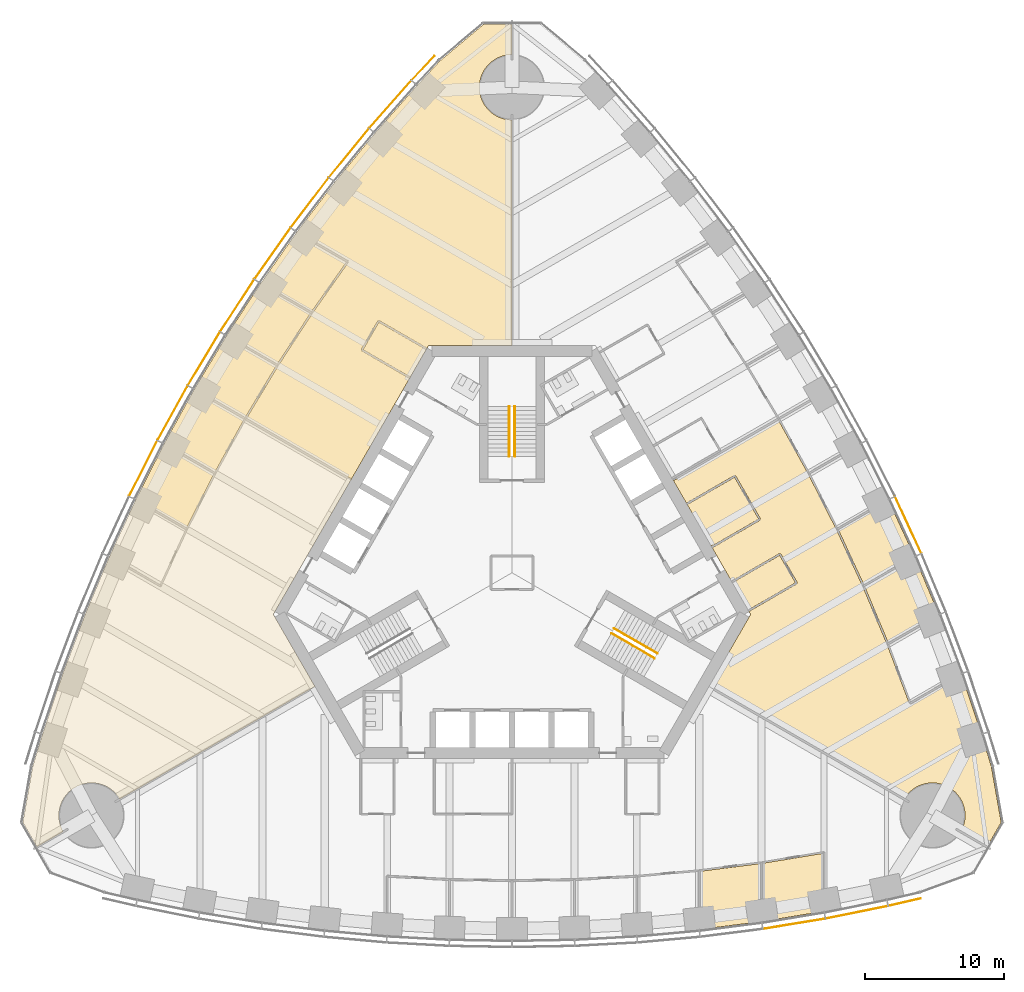
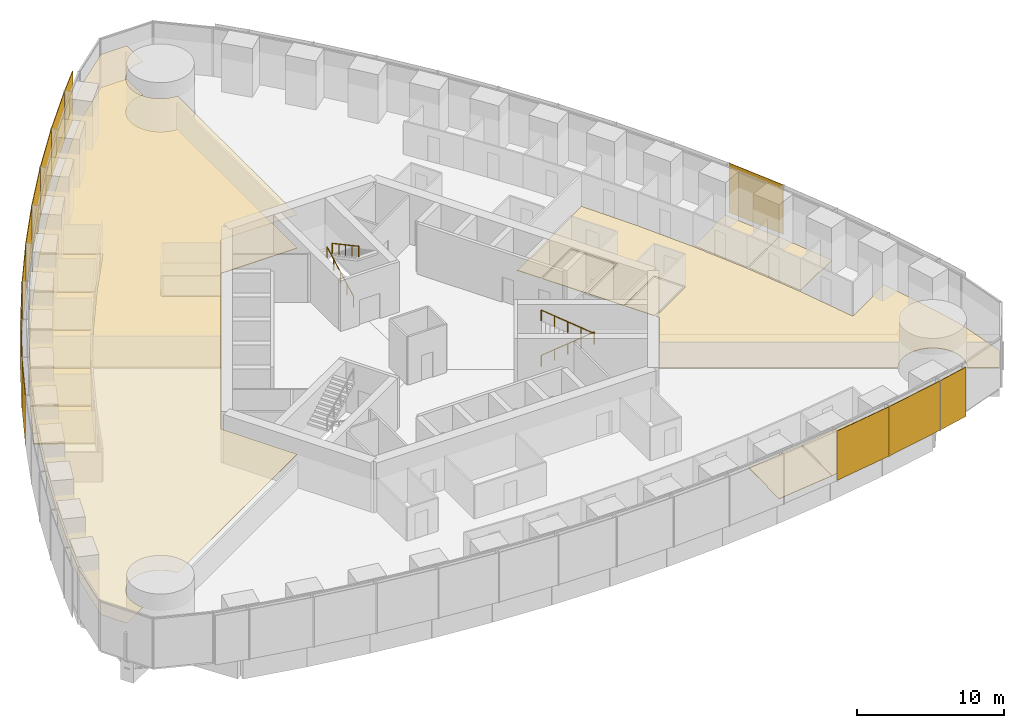
# One storey, part 16 of 19: 15 coverings, 13 shading devices, 4 railings.
"""IFC4 building model written with IfcOpenShell, lengths in metres."""

import ifcopenshell
import ifcopenshell.guid

model = None  # the IFC model being written
_history = None  # IfcOwnerHistory: only IFC2X3 demands one
_inside = {}  # id of a spatial element -> (the spatial element, [elements in it])
_under = {}  # id of a project, library or spatial element -> (it, [spatial elements below it])
_declared = {}  # id of a project -> (the project, [libraries it declares])
_typed = {}  # id of a type object -> (the type object, [elements of that type])
_made_of = {}  # id of a material, layer set ... -> (it, [elements and type objects made of it])


def new_model(schema):
    """Start an empty IFC model of exactly this schema.

    Asked for "IFC4X3", IfcOpenShell would pick the latest addendum, in which some entities
    have other attributes; the version numbers below select the first issue.
    IFC2X3 requires an IfcOwnerHistory on every rooted entity: one is made here for all.
    """
    global model, _history
    if schema == "IFC4X3":
        model = ifcopenshell.file(schema_version=(4, 3, 0, 0))
    else:
        model = ifcopenshell.file(schema=schema)
    _inside.clear()
    _under.clear()
    _declared.clear()
    _typed.clear()
    _made_of.clear()
    _history = None
    if model.schema == "IFC2X3":
        org = make("IfcOrganization", Name="unknown")
        user = make(
            "IfcPersonAndOrganization",
            ThePerson=make("IfcPerson", FamilyName="unknown"),
            TheOrganization=org,
        )
        app = make(
            "IfcApplication",
            ApplicationDeveloper=org,
            Version="unknown",
            ApplicationFullName="unknown",
            ApplicationIdentifier="unknown",
        )
        _history = make(
            "IfcOwnerHistory",
            OwningUser=user,
            OwningApplication=app,
            ChangeAction="ADDED",
            CreationDate=0,
        )
    return model


def make(cls, **values):
    """One entity of the class cls with the attributes given. An attribute that is None is left unset."""
    return model.create_entity(
        cls, **{name: value for name, value in values.items() if value is not None}
    )


def rooted(cls, **values):
    """An entity with a GlobalId (a new one), such as an element, a storey or a relation."""
    return make(cls, GlobalId=ifcopenshell.guid.new(), OwnerHistory=_history, **values)


def si_unit(unit_type, name, prefix=None):
    """IfcSIUnit, for example si_unit("LENGTHUNIT", "METRE", prefix="MILLI")."""
    return make("IfcSIUnit", UnitType=unit_type, Prefix=prefix, Name=name)


def assignment(units):
    """IfcUnitAssignment: the units of a project."""
    return None if units is None else make("IfcUnitAssignment", Units=units)


def point(xyz):
    """IfcCartesianPoint."""
    return None if xyz is None else make("IfcCartesianPoint", Coordinates=xyz)


def direction(xyz):
    """IfcDirection."""
    return None if xyz is None else make("IfcDirection", DirectionRatios=xyz)


def frame(location, z_axis=None, x_axis=None):
    """IfcAxis2Placement3D, a coordinate frame: its origin and axes. An axis left out is left unset."""
    return make(
        "IfcAxis2Placement3D",
        Location=point(location),
        Axis=direction(z_axis),
        RefDirection=direction(x_axis),
    )


def frame_2d(location, x_axis=None):
    """IfcAxis2Placement2D, a coordinate frame in the plane: its origin and x axis."""
    return make(
        "IfcAxis2Placement2D", Location=point(location), RefDirection=direction(x_axis)
    )


def origin():
    """The frame at (0, 0, 0) with its axes left unset."""
    return frame((0.0, 0.0, 0.0))


def origin_2d():
    """The frame at (0, 0) in the plane with its x axis left unset."""
    return frame_2d((0.0, 0.0))


def place(relative_to, where):
    """IfcLocalPlacement: puts the frame where relative to a parent placement (None: the world)."""
    return make(
        "IfcLocalPlacement", PlacementRelTo=relative_to, RelativePlacement=where
    )


def context(
    kind, dimensions, precision=None, world=None, true_north=None, identifier=None
):
    """IfcGeometricRepresentationContext, for example the 3D "Model" context."""
    return make(
        "IfcGeometricRepresentationContext",
        ContextIdentifier=identifier,
        ContextType=kind,
        CoordinateSpaceDimension=dimensions,
        Precision=precision,
        WorldCoordinateSystem=world,
        TrueNorth=true_north,
    )


def subcontext(parent, identifier, kind, view, scale=None):
    """IfcGeometricRepresentationSubContext, for example "Body" below "Model"."""
    return make(
        "IfcGeometricRepresentationSubContext",
        ContextIdentifier=identifier,
        ContextType=kind,
        ParentContext=parent,
        TargetScale=scale,
        TargetView=view,
    )


def project(units=None, contexts=None):
    """IfcProject with its units and contexts."""
    return rooted(
        "IfcProject",
        Name="project",
        RepresentationContexts=contexts,
        UnitsInContext=assignment(units),
    )


def spatial(cls, under=None, at=None, **own):
    """A site, building, storey or space (cls), placed at a placement, below another one or the project."""
    s = rooted(cls, ObjectPlacement=at, **own)
    if under is not None:
        _under.setdefault(under.id(), (under, []))[1].append(s)
    return s


def polyline(points):
    """IfcPolyline through the points."""
    return make("IfcPolyline", Points=[point(p) for p in points])


def profile(cls, at=None, kind="AREA", **sizes):
    """A parametric profile (cls). Its sizes go by their IFC names, for example OverallWidth=200.0."""
    return make(cls, ProfileType=kind, Position=at, **sizes)


def rectangle(**sizes):
    """IfcRectangleProfileDef."""
    return profile("IfcRectangleProfileDef", **sizes)


def circle(**sizes):
    """IfcCircleProfileDef."""
    return profile("IfcCircleProfileDef", **sizes)


def outline(outer, holes=None, kind="AREA"):
    """IfcArbitraryClosedProfileDef: a profile drawn as a closed curve; with holes, ...WithVoids."""
    if holes is None:
        return make("IfcArbitraryClosedProfileDef", ProfileType=kind, OuterCurve=outer)
    return make(
        "IfcArbitraryProfileDefWithVoids",
        ProfileType=kind,
        OuterCurve=outer,
        InnerCurves=holes,
    )


def extrude(swept, where, along, depth):
    """IfcExtrudedAreaSolid: the profile swept, set in the frame where, extruded along a direction by depth."""
    return make(
        "IfcExtrudedAreaSolid",
        SweptArea=swept,
        Position=where,
        ExtrudedDirection=direction(along),
        Depth=depth,
    )


def shape(context_of_items, identifier, shape_type, items):
    """IfcShapeRepresentation: the items that make up one representation, for example the "Body"."""
    return make(
        "IfcShapeRepresentation",
        ContextOfItems=context_of_items,
        RepresentationIdentifier=identifier,
        RepresentationType=shape_type,
        Items=items,
    )


def material(Name=None, Category=None):
    """IfcMaterial."""
    return make("IfcMaterial", Name=Name, Category=Category)


def layer(
    of_material, thickness, ventilated=None, Name=None, Category=None, Priority=None
):
    """IfcMaterialLayer: one layer of a wall or slab, of a material (None: an air gap)."""
    return make(
        "IfcMaterialLayer",
        Material=of_material,
        LayerThickness=thickness,
        IsVentilated=ventilated,
        Name=Name,
        Category=Category,
        Priority=Priority,
    )


def layer_set(layers, Name=None):
    """IfcMaterialLayerSet."""
    return make("IfcMaterialLayerSet", MaterialLayers=layers, LayerSetName=Name)


def made_of(thing, what):
    """Note that an element or type object is made of a material, layer set ...; save() writes the relation."""
    if what is not None:
        _made_of.setdefault(what.id(), (what, []))[1].append(thing)
    return thing


def type_object(cls, material=None, **own):
    """A type object (cls), such as IfcWallType, which elements share."""
    return made_of(rooted(cls, **own), material)


def element(
    cls,
    number,
    at=None,
    inside=None,
    cuts=None,
    type_object=None,
    material=None,
    context=None,
    identifier="Body",
    shape_type=None,
    held_by="IfcProductDefinitionShape",
    body=None,
    shapes=None,
    **own,
):
    """One element of the class cls, such as IfcWall. Its Tag is "e" and its number.

    at: its placement. inside: the storey or other place that contains it. cuts: it is an
    opening in that element (IfcRelVoidsElement). A single representation is given by context,
    identifier, shape_type and body (its items); several are given by shapes. held_by: the class
    of the entity that holds the representations. save() writes the other relations.
    """
    e = rooted(cls, Tag="e%d" % number, ObjectPlacement=at, **own)
    if body is not None:
        shapes = [shape(context, identifier, shape_type, body)]
    if shapes is not None:
        e.Representation = make(held_by, Representations=shapes)
    if inside is not None:
        _inside.setdefault(inside.id(), (inside, []))[1].append(e)
    if cuts is not None:
        rooted(
            "IfcRelVoidsElement", RelatingBuildingElement=cuts, RelatedOpeningElement=e
        )
    if type_object is not None:
        _typed.setdefault(type_object.id(), (type_object, []))[1].append(e)
    return made_of(e, material)


def aggregate(whole, parts):
    """IfcRelAggregates: a whole, such as a stair, and the parts it consists of."""
    return rooted("IfcRelAggregates", RelatingObject=whole, RelatedObjects=parts)


def save(model, path):
    """Write the relations noted so far, then the file.

    IfcRelAggregates (storeys below a building ...), IfcRelContainedInSpatialStructure (elements
    in a storey), IfcRelDefinesByType, IfcRelAssociatesMaterial and IfcRelDeclares: one each for
    every whole, place, type object, material and project.
    """
    for whole, parts in _under.values():
        aggregate(whole, parts)
    for where, things in _inside.values():
        rooted(
            "IfcRelContainedInSpatialStructure",
            RelatedElements=things,
            RelatingStructure=where,
        )
    for kind, things in _typed.values():
        rooted("IfcRelDefinesByType", RelatedObjects=things, RelatingType=kind)
    for what, things in _made_of.values():
        rooted("IfcRelAssociatesMaterial", RelatedObjects=things, RelatingMaterial=what)
    for by, libraries in _declared.values():
        rooted("IfcRelDeclares", RelatingContext=by, RelatedDefinitions=libraries)
    model.write(path)


model = new_model("IFC4")

# Units and contexts
model_context = context("Model", 3, precision=1e-05, world=origin(), true_north=direction((0.0, 1.0)))
body_context = subcontext(model_context, "Body", "Model", "MODEL_VIEW")
ifc_project = project(units=[si_unit("LENGTHUNIT", "METRE"), si_unit("AREAUNIT", "SQUARE_METRE"), si_unit("VOLUMEUNIT", "CUBIC_METRE"), si_unit("PLANEANGLEUNIT", "RADIAN"), si_unit("MASSUNIT", "GRAM", prefix="KILO")], contexts=[model_context])

# Site, building, storey
site_placement = place(None, origin())
site = spatial("IfcSite", under=ifc_project, at=site_placement, CompositionType="ELEMENT")
building_placement = place(site_placement, origin())
building = spatial("IfcBuilding", under=site, at=building_placement, Name="Trefoil Bronze Tower", CompositionType="ELEMENT")
storey_placement = place(building_placement, frame((0.0, 0.0, 107.300048828125)))
storey = spatial("IfcBuildingStorey", under=building, at=storey_placement, Name="L24", CompositionType="ELEMENT", Elevation=107.300048828125)

# Shading devices
ifc_material_1 = material(Name="Perforated bronze sheet", Category="bronze")
ifc_layer_1 = layer(ifc_material_1, 0.0400390625)
ifc_layer_set_1 = layer_set([ifc_layer_1], Name="Bronze solar screen panel")
shading_device_type = type_object("IfcShadingDeviceType", Name="Bronze solar screen panel", PredefinedType="SHUTTER", material=ifc_layer_set_1)
shading_device_1_placement = place(storey_placement, frame((20.337646484375, -25.30859375, 0.0498046875), z_axis=(0.0, 0.0, 1.0), x_axis=(0.986759655731, 0.162189339418, 0.0)))
element("IfcShadingDevice", 1, at=shading_device_1_placement, inside=storey, type_object=shading_device_type, Name="Solar screen CW-A L24 F1 bay 12", PredefinedType="SHUTTER", context=body_context, shape_type="SweptSolid", body=[
    extrude(rectangle(XDim=4.5302734375, YDim=0.0400390625, at=origin_2d()), origin(), (0.0, 0.0, 1.0), 4.10009765625),
])
shading_device_2_placement = place(storey_placement, frame((24.85693359375, -24.480224609375, 0.0498046875), z_axis=(0.0, 0.0, 1.0), x_axis=(0.980155155547, 0.198231861853, 0.0)))
element("IfcShadingDevice", 2, at=shading_device_2_placement, inside=storey, type_object=shading_device_type, Name="Solar screen CW-A L24 F1 bay 13", PredefinedType="SHUTTER", context=body_context, shape_type="SweptSolid", body=[
    extrude(rectangle(XDim=4.56103515625, YDim=0.0400390625, at=origin_2d()), origin(), (0.0, 0.0, 1.0), 4.10009765625),
])
shading_device_3_placement = place(storey_placement, frame((28.30078125, -23.748779296875, 0.0498046875), z_axis=(0.0, 0.0, 1.0), x_axis=(0.97420444715, 0.225667222151, 0.0)))
element("IfcShadingDevice", 3, at=shading_device_3_placement, inside=storey, type_object=shading_device_type, Name="Solar screen CW-A L24 F1 bay 14", PredefinedType="SHUTTER", context=body_context, shape_type="SweptSolid", body=[
    extrude(rectangle(XDim=2.39013671875, YDim=0.0400390625, at=origin_2d()), origin(), (0.0, 0.0, 1.0), 4.10009765625),
])
shading_device_4_placement = place(storey_placement, frame((28.563720703125, 3.444580078125, 0.0498046875), z_axis=(0.0, 0.0, 1.0), x_axis=(-0.419932995871, 0.907555110712, 0.0)))
element("IfcShadingDevice", 4, at=shading_device_4_placement, inside=storey, type_object=shading_device_type, Name="Solar screen CW-A L24 F2 bay 5", PredefinedType="SHUTTER", context=body_context, shape_type="SweptSolid", body=[
    extrude(rectangle(XDim=4.48828125, YDim=0.0400390625, at=origin_2d()), origin(), (0.0, 0.0, 1.0), 4.10009765625),
])
shading_device_5_placement = place(storey_placement, frame((-6.416748046875, 36.383544921875, 0.0498046875), z_axis=(0.0, 0.0, 1.0), x_axis=(-0.682535770759, -0.730852188636, 0.0)))
element("IfcShadingDevice", 5, at=shading_device_5_placement, inside=storey, type_object=shading_device_type, Name="Solar screen CW-A L24 F3 bay 1", PredefinedType="SHUTTER", context=body_context, shape_type="SweptSolid", body=[
    extrude(rectangle(XDim=2.39013671875, YDim=0.0400390625, at=origin_2d()), origin(), (0.0, 0.0, 1.0), 4.10009765625),
])
shading_device_6_placement = place(storey_placement, frame((-8.77197265625, 33.766845703125, 0.0498046875), z_axis=(0.0, 0.0, 1.0), x_axis=(-0.661751405978, -0.749723333428, 0.0)))
element("IfcShadingDevice", 6, at=shading_device_6_placement, inside=storey, type_object=shading_device_type, Name="Solar screen CW-A L24 F3 bay 2", PredefinedType="SHUTTER", context=body_context, shape_type="SweptSolid", body=[
    extrude(rectangle(XDim=4.56103515625, YDim=0.0400390625, at=origin_2d()), origin(), (0.0, 0.0, 1.0), 4.10009765625),
])
shading_device_7_placement = place(storey_placement, frame((-11.7490234375, 30.26708984375, 0.0498046875), z_axis=(0.0, 0.0, 1.0), x_axis=(-0.633839916024, -0.773464259584, 0.0)))
element("IfcShadingDevice", 7, at=shading_device_7_placement, inside=storey, type_object=shading_device_type, Name="Solar screen CW-A L24 F3 bay 3", PredefinedType="SHUTTER", context=body_context, shape_type="SweptSolid", body=[
    extrude(rectangle(XDim=4.5302734375, YDim=0.0400390625, at=origin_2d()), origin(), (0.0, 0.0, 1.0), 4.10009765625),
])
shading_device_8_placement = place(storey_placement, frame((-14.579345703125, 26.6826171875, 0.0498046875), z_axis=(0.0, 0.0, 1.0), x_axis=(-0.605252319983, -0.796033685943, 0.0)))
element("IfcShadingDevice", 8, at=shading_device_8_placement, inside=storey, type_object=shading_device_type, Name="Solar screen CW-A L24 F3 bay 4", PredefinedType="SHUTTER", context=body_context, shape_type="SweptSolid", body=[
    extrude(rectangle(XDim=4.50634765625, YDim=0.0400390625, at=origin_2d()), origin(), (0.0, 0.0, 1.0), 4.10009765625),
])
shading_device_9_placement = place(storey_placement, frame((-17.264892578125, 23.014404296875, 0.0498046875), z_axis=(0.0, 0.0, 1.0), x_axis=(-0.575999283275, -0.817450197667, 0.0)))
element("IfcShadingDevice", 9, at=shading_device_9_placement, inside=storey, type_object=shading_device_type, Name="Solar screen CW-A L24 F3 bay 5", PredefinedType="SHUTTER", context=body_context, shape_type="SweptSolid", body=[
    extrude(rectangle(XDim=4.48828125, YDim=0.0400390625, at=origin_2d()), origin(), (0.0, 0.0, 1.0), 4.10009765625),
])
shading_device_10_placement = place(storey_placement, frame((-19.8076171875, 19.263916015625, 0.0498046875), z_axis=(0.0, 0.0, 1.0), x_axis=(-0.546088612237, -0.837727418427, 0.0)))
element("IfcShadingDevice", 10, at=shading_device_10_placement, inside=storey, type_object=shading_device_type, Name="Solar screen CW-A L24 F3 bay 6", PredefinedType="SHUTTER", context=body_context, shape_type="SweptSolid", body=[
    extrude(rectangle(XDim=4.4765625, YDim=0.0400390625, at=origin_2d()), origin(), (0.0, 0.0, 1.0), 4.10009765625),
])
for number, where, z_axis, x_axis, name in (
    (11, (-22.208740234375, 15.431396484375, 0.0498046875), (0.0, 0.0, 1.0), (-0.515525413486, -0.856874289526, 0.0), "Solar screen CW-A L24 F3 bay 7"),
    (12, (-24.468505859375, 11.517578125, 0.0498046875), (0.0, 0.0, 1.0), (-0.484312195836, -0.874895249138, 0.0), "Solar screen CW-A L24 F3 bay 8"),
):
    element("IfcShadingDevice", number, at=place(storey_placement, frame(where, z_axis=z_axis, x_axis=x_axis)), inside=storey, type_object=shading_device_type, Name=name, PredefinedType="SHUTTER", context=body_context, shape_type="SweptSolid", body=[
        extrude(rectangle(XDim=4.470703125, YDim=0.0400390625, at=origin_2d()), origin(), (0.0, 0.0, 1.0), 4.10009765625),
    ])
shading_device_11_placement = place(storey_placement, frame((-26.5869140625, 7.52197265625, 0.0498046875), z_axis=(0.0, 0.0, 1.0), x_axis=(-0.452448919686, -0.891790320128, 0.0)))
element("IfcShadingDevice", 13, at=shading_device_11_placement, inside=storey, type_object=shading_device_type, Name="Solar screen CW-A L24 F3 bay 9", PredefinedType="SHUTTER", context=body_context, shape_type="SweptSolid", body=[
    extrude(rectangle(XDim=4.4765625, YDim=0.0400390625, at=origin_2d()), origin(), (0.0, 0.0, 1.0), 4.10009765625),
])

# Railings
ifc_material_2 = material(Name="Steel handrail", Category="steel")
railing_type = type_object("IfcRailingType", Name="Handrail 900", PredefinedType="HANDRAIL", material=ifc_material_2)
railing_1_placement = place(storey_placement, frame((7.365966796875, -4.021728515625, 0.161376953125)))
element("IfcRailing", 14, at=railing_1_placement, inside=storey, type_object=railing_type, Name="Handrail ST1 flight 1 L24", PredefinedType="HANDRAIL", context=body_context, shape_type="SweptSolid", body=[
    extrude(circle(Radius=0.02392578125, at=origin_2d()), frame((0.0, 0.0, 0.8759765625), z_axis=(0.76250339821, -0.440245697338, 0.474101564745), x_axis=(0.500012057535, 0.866018442252, 0.0)), (0.0, 0.0, 1.0), 4.088623046875),
    extrude(circle(Radius=0.02099609375, at=origin_2d()), origin(), (0.0, 0.0, 1.0), 0.851806640625),
    extrude(circle(Radius=0.02099609375, at=origin_2d()), frame((0.779296875, -0.449951171875, 0.484619140625)), (0.0, 0.0, 1.0), 0.851806640625),
    extrude(circle(Radius=0.02099609375, at=origin_2d()), frame((1.558837890625, -0.89990234375, 0.96923828125)), (0.0, 0.0, 1.0), 0.851806640625),
    extrude(circle(Radius=0.02099609375, at=origin_2d()), frame((2.33837890625, -1.35009765625, 1.453857421875)), (0.0, 0.0, 1.0), 0.851806640625),
    extrude(circle(Radius=0.02099609375, at=origin_2d()), frame((3.11767578125, -1.800048828125, 1.9384765625)), (0.0, 0.0, 1.0), 0.851806640625),
])
railing_2_placement = place(storey_placement, frame((10.28369140625, -6.168212890625, 2.261474609375)))
element("IfcRailing", 15, at=railing_2_placement, inside=storey, type_object=railing_type, Name="Handrail ST1 flight 2 L24", PredefinedType="HANDRAIL", context=body_context, shape_type="SweptSolid", body=[
    extrude(circle(Radius=0.02392578125, at=origin_2d()), frame((0.0, 0.0, 0.8759765625), z_axis=(-0.76250339821, 0.440245697338, 0.474101564745), x_axis=(-0.500012057535, -0.866018442252, 0.0)), (0.0, 0.0, 1.0), 4.088623046875),
    extrude(circle(Radius=0.02099609375, at=origin_2d()), origin(), (0.0, 0.0, 1.0), 0.851806640625),
    extrude(circle(Radius=0.02099609375, at=origin_2d()), frame((-0.779296875, 0.449951171875, 0.484619140625)), (0.0, 0.0, 1.0), 0.851806640625),
    extrude(circle(Radius=0.02099609375, at=origin_2d()), frame((-1.558837890625, 0.89990234375, 0.96923828125)), (0.0, 0.0, 1.0), 0.851806640625),
    extrude(circle(Radius=0.02099609375, at=origin_2d()), frame((-2.33837890625, 1.35009765625, 1.453857421875)), (0.0, 0.0, 1.0), 0.851806640625),
    extrude(circle(Radius=0.02099609375, at=origin_2d()), frame((-3.11767578125, 1.800048828125, 1.9384765625)), (0.0, 0.0, 1.0), 0.851806640625),
])
railing_3_placement = place(storey_placement, frame((-0.199951171875, 8.389892578125, 0.161376953125)))
element("IfcRailing", 16, at=railing_3_placement, inside=storey, type_object=railing_type, Name="Handrail ST2 flight 1 L24", PredefinedType="HANDRAIL", context=body_context, shape_type="SweptSolid", body=[
    extrude(circle(Radius=0.02392578125, at=origin_2d()), frame((0.0, 0.0, 0.8759765625), z_axis=(0.0, 0.880474934443, 0.474092701714), x_axis=(-1.0, 0.0, 0.0)), (0.0, 0.0, 1.0), 4.0888671875),
    extrude(circle(Radius=0.02099609375, at=origin_2d()), origin(), (0.0, 0.0, 1.0), 0.851806640625),
    extrude(circle(Radius=0.02099609375, at=origin_2d()), frame((0.0, 0.89990234375, 0.484619140625)), (0.0, 0.0, 1.0), 0.851806640625),
    extrude(circle(Radius=0.02099609375, at=origin_2d()), frame((0.0, 1.800048828125, 0.96923828125)), (0.0, 0.0, 1.0), 0.851806640625),
    extrude(circle(Radius=0.02099609375, at=origin_2d()), frame((0.0, 2.7001953125, 1.453857421875)), (0.0, 0.0, 1.0), 0.851806640625),
    extrude(circle(Radius=0.02099609375, at=origin_2d()), frame((0.0, 3.60009765625, 1.9384765625)), (0.0, 0.0, 1.0), 0.851806640625),
])
railing_4_placement = place(storey_placement, frame((0.199951171875, 11.989990234375, 2.261474609375)))
element("IfcRailing", 17, at=railing_4_placement, inside=storey, type_object=railing_type, Name="Handrail ST2 flight 2 L24", PredefinedType="HANDRAIL", context=body_context, shape_type="SweptSolid", body=[
    extrude(circle(Radius=0.02392578125, at=origin_2d()), frame((0.0, 0.0, 0.8759765625), z_axis=(0.0, -0.880474934443, 0.474092701714), x_axis=(1.0, 0.0, 0.0)), (0.0, 0.0, 1.0), 4.0888671875),
    extrude(circle(Radius=0.02099609375, at=origin_2d()), origin(), (0.0, 0.0, 1.0), 0.851806640625),
    extrude(circle(Radius=0.02099609375, at=origin_2d()), frame((0.0, -0.89990234375, 0.484619140625)), (0.0, 0.0, 1.0), 0.851806640625),
    extrude(circle(Radius=0.02099609375, at=origin_2d()), frame((0.0, -1.800048828125, 0.96923828125)), (0.0, 0.0, 1.0), 0.851806640625),
    extrude(circle(Radius=0.02099609375, at=origin_2d()), frame((0.0, -2.7001953125, 1.453857421875)), (0.0, 0.0, 1.0), 0.851806640625),
    extrude(circle(Radius=0.02099609375, at=origin_2d()), frame((0.0, -3.60009765625, 1.9384765625)), (0.0, 0.0, 1.0), 0.851806640625),
])

# Coverings
ifc_material_3 = material(Name="Acoustic ceiling panels", Category="mineral fibre")
ifc_layer_2 = layer(ifc_material_3, 0.02001953125)
ifc_layer_set_2 = layer_set([ifc_layer_2], Name="Office ceiling 20")
covering_type_1 = type_object("IfcCoveringType", Name="Office ceiling 20", PredefinedType="CEILING", material=ifc_layer_set_2)
covering_1_placement = place(storey_placement, frame((0.0, 0.0, 2.89990234375)))
element("IfcCovering", 18, at=covering_1_placement, inside=storey, type_object=covering_type_1, Name="Ceiling L24 Open support area F3", PredefinedType="CEILING", context=body_context, shape_type="SweptSolid", body=[
    extrude(outline(polyline([(-33.847900390625, -11.634765625), (-32.385986328125, -7.28271484375), (-30.776611328125, -3.015625), (-29.022216796875, 1.16748046875), (-27.124755859375, 5.268310546875), (-25.085693359375, 9.287109375), (-22.906005859375, 13.224853515625), (-20.585693359375, 17.081298828125), (-18.124755859375, 20.856689453125), (-15.522216796875, 24.55029296875), (-12.776611328125, 28.1611328125), (-9.885986328125, 31.6884765625), (-6.847900390625, 35.130615234375), (-5.1962890625, 36.8994140625), (-2.052001953125, 39.53759765625), (-0.014892578125, 39.53759765625), (-0.013916015625, 37.349609375), (-0.115234375, 37.34716796875), (-0.230224609375, 37.338623046875), (-0.3447265625, 37.32470703125), (-0.45849609375, 37.3046875), (-0.571044921875, 37.279541015625), (-0.68212890625, 37.248779296875), (-0.791748046875, 37.212646484375), (-0.8994140625, 37.171142578125), (-1.0048828125, 37.12451171875), (-1.10791015625, 37.072509765625), (-1.2080078125, 37.015625), (-1.3056640625, 36.9541015625), (-1.39990234375, 36.887451171875), (-1.49072265625, 36.816650390625), (-1.578125, 36.7412109375), (-1.66162109375, 36.66162109375), (-1.7412109375, 36.578125), (-1.816650390625, 36.49072265625), (-1.887451171875, 36.39990234375), (-1.9541015625, 36.3056640625), (-2.015625, 36.2080078125), (-2.072509765625, 36.10791015625), (-2.12451171875, 36.0048828125), (-2.171142578125, 35.8994140625), (-2.212646484375, 35.791748046875), (-2.248779296875, 35.68212890625), (-2.279541015625, 35.571044921875), (-2.3046875, 35.45849609375), (-2.32470703125, 35.3447265625), (-2.338623046875, 35.230224609375), (-2.34716796875, 35.115234375), (-2.35009765625, 35.0), (-2.34716796875, 34.884765625), (-2.338623046875, 34.769775390625), (-2.32470703125, 34.6552734375), (-2.3046875, 34.54150390625), (-2.279541015625, 34.428955078125), (-2.248779296875, 34.31787109375), (-2.212646484375, 34.208251953125), (-2.171142578125, 34.1005859375), (-2.12451171875, 33.9951171875), (-2.072509765625, 33.89208984375), (-2.015625, 33.7919921875), (-1.9541015625, 33.6943359375), (-1.887451171875, 33.60009765625), (-1.816650390625, 33.50927734375), (-1.7412109375, 33.421875), (-1.66162109375, 33.33837890625), (-1.578125, 33.2587890625), (-1.49072265625, 33.183349609375), (-1.39990234375, 33.112548828125), (-1.3056640625, 33.0458984375), (-1.2080078125, 32.984375), (-1.10791015625, 32.927490234375), (-1.0048828125, 32.87548828125), (-0.8994140625, 32.828857421875), (-0.791748046875, 32.787353515625), (-0.68212890625, 32.751220703125), (-0.571044921875, 32.720458984375), (-0.45849609375, 32.6953125), (-0.3447265625, 32.67529296875), (-0.230224609375, 32.661376953125), (-0.115234375, 32.65283203125), (-0.01220703125, 32.650390625), (-0.006103515625, 16.39990234375), (-6.00439453125, 16.39990234375), (-17.205078125, -3.0), (-14.205810546875, -8.194580078125), (-28.2822265625, -16.314697265625), (-28.295166015625, -16.2919921875), (-28.35693359375, -16.1943359375), (-28.42333984375, -16.10009765625), (-28.494384765625, -16.00927734375), (-28.569580078125, -15.921875), (-28.649169921875, -15.83837890625), (-28.732666015625, -15.7587890625), (-28.820068359375, -15.683349609375), (-28.910888671875, -15.612548828125), (-29.00537109375, -15.5458984375), (-29.102783203125, -15.484375), (-29.203125, -15.427490234375), (-29.30615234375, -15.37548828125), (-29.41162109375, -15.328857421875), (-29.519287109375, -15.287353515625), (-29.628662109375, -15.251220703125), (-29.739990234375, -15.220458984375), (-29.852294921875, -15.1953125), (-29.966064453125, -15.17529296875), (-30.08056640625, -15.161376953125), (-30.195556640625, -15.15283203125), (-30.310791015625, -15.14990234375), (-30.42626953125, -15.15283203125), (-30.541259765625, -15.161376953125), (-30.65576171875, -15.17529296875), (-30.769287109375, -15.1953125), (-30.8818359375, -15.220458984375), (-30.9931640625, -15.251220703125), (-31.1025390625, -15.287353515625), (-31.210205078125, -15.328857421875), (-31.315673828125, -15.37548828125), (-31.418701171875, -15.427490234375), (-31.51904296875, -15.484375), (-31.616455078125, -15.5458984375), (-31.710693359375, -15.612548828125), (-31.8017578125, -15.683349609375), (-31.88916015625, -15.7587890625), (-31.97265625, -15.83837890625), (-32.052001953125, -15.921875), (-32.12744140625, -16.00927734375), (-32.198486328125, -16.10009765625), (-32.264892578125, -16.1943359375), (-32.32666015625, -16.2919921875), (-32.38330078125, -16.39208984375), (-32.435302734375, -16.4951171875), (-32.48193359375, -16.6005859375), (-32.5234375, -16.708251953125), (-32.559814453125, -16.81787109375), (-32.590576171875, -16.928955078125), (-32.61572265625, -17.04150390625), (-32.635498046875, -17.1552734375), (-32.649658203125, -17.269775390625), (-32.658203125, -17.384765625), (-32.660888671875, -17.5), (-32.658203125, -17.615234375), (-32.649658203125, -17.730224609375), (-32.635498046875, -17.8447265625), (-32.61572265625, -17.95849609375), (-32.590576171875, -18.071044921875), (-32.559814453125, -18.18212890625), (-32.5234375, -18.291748046875), (-32.48193359375, -18.3994140625), (-32.435302734375, -18.5048828125), (-32.38330078125, -18.60791015625), (-32.352294921875, -18.66259765625), (-34.247802734375, -19.755859375), (-35.2666015625, -17.99169921875), (-34.5537109375, -13.94970703125), (-33.847900390625, -11.634765625)])), origin(), (0.0, 0.0, 1.0), 0.02001953125),
])
ifc_material_4 = material(Name="Raised access floor panels", Category="steel")
ifc_layer_3 = layer(ifc_material_4, 0.050048828125)
ifc_layer_set_3 = layer_set([ifc_layer_3], Name="Raised access floor 150")
covering_type_2 = type_object("IfcCoveringType", Name="Raised access floor 150", PredefinedType="FLOORING", material=ifc_layer_set_3)
covering_2_placement = place(storey_placement, frame((0.0, 0.0, 0.099853515625)))
element("IfcCovering", 19, at=covering_2_placement, inside=storey, type_object=covering_type_2, Name="Raised floor L24 Office F1", PredefinedType="FLOORING", context=body_context, shape_type="SweptSolid", body=[
    extrude(outline(polyline([(18.0, -25.1455078125), (13.5, -25.7177734375), (13.5, -24.078125), (13.56005859375, -24.078125), (13.56005859375, -21.520751953125), (17.93994140625, -20.963623046875), (17.93994140625, -23.49853515625), (18.0, -23.49853515625), (18.0, -25.1455078125)])), origin(), (0.0, 0.0, 1.0), 0.050048828125),
])
covering_3_placement = place(storey_placement, frame((0.0, 0.0, 0.099853515625)))
element("IfcCovering", 20, at=covering_3_placement, inside=storey, type_object=covering_type_2, Name="Raised floor L24 Office F1", PredefinedType="FLOORING", context=body_context, shape_type="SweptSolid", body=[
    extrude(outline(polyline([(22.5, -24.406005859375), (18.0, -25.1455078125), (18.0, -23.49853515625), (18.06005859375, -23.49853515625), (18.06005859375, -20.946533203125), (22.43994140625, -20.2265625), (22.43994140625, -22.748779296875), (22.5, -22.748779296875), (22.5, -24.406005859375)])), origin(), (0.0, 0.0, 1.0), 0.050048828125),
])
covering_4_placement = place(storey_placement, frame((0.0, 0.0, 0.099853515625)))
element("IfcCovering", 21, at=covering_4_placement, inside=storey, type_object=covering_type_2, Name="Raised floor L24 Meeting room F2", PredefinedType="FLOORING", context=body_context, shape_type="SweptSolid", body=[
    extrude(outline(polyline([(12.634765625, 4.916015625), (16.046875, 6.885986328125), (17.786865234375, 3.872314453125), (14.374755859375, 1.902099609375), (12.634765625, 4.916015625)])), origin(), (0.0, 0.0, 1.0), 0.050048828125),
])
covering_5_placement = place(storey_placement, frame((0.0, 0.0, 0.099853515625)))
element("IfcCovering", 22, at=covering_5_placement, inside=storey, type_object=covering_type_2, Name="Raised floor L24 Project room F2", PredefinedType="FLOORING", context=body_context, shape_type="SweptSolid", body=[
    extrude(outline(polyline([(15.884765625, -0.713134765625), (19.296875, 1.2568359375), (20.43701171875, -0.7177734375), (17.024658203125, -2.687744140625), (15.884765625, -0.713134765625)])), origin(), (0.0, 0.0, 1.0), 0.050048828125),
])
covering_6_placement = place(storey_placement, frame((0.0, 0.0, 0.099853515625)))
element("IfcCovering", 23, at=covering_6_placement, inside=storey, type_object=covering_type_2, Name="Raised floor L24 Office F2", PredefinedType="FLOORING", context=body_context, shape_type="SweptSolid", body=[
    extrude(outline(polyline([(27.124755859375, 5.268310546875), (29.022216796875, 1.16748046875), (27.602294921875, 0.347900390625), (27.572509765625, 0.399658203125), (25.368408203125, -0.87255859375), (23.521728515625, 3.11865234375), (25.739501953125, 4.399169921875), (25.709716796875, 4.451171875), (27.124755859375, 5.268310546875)])), origin(), (0.0, 0.0, 1.0), 0.050048828125),
])
covering_7_placement = place(storey_placement, frame((0.0, 0.0, 0.099853515625)))
element("IfcCovering", 24, at=covering_7_placement, inside=storey, type_object=covering_type_2, Name="Raised floor L24 Office F2", PredefinedType="FLOORING", context=body_context, shape_type="SweptSolid", body=[
    extrude(outline(polyline([(29.022216796875, 1.16748046875), (30.776611328125, -3.015625), (29.350341796875, -3.839111328125), (29.3203125, -3.787353515625), (27.125, -5.0546875), (25.41748046875, -0.98291015625), (27.63232421875, 0.2958984375), (27.602294921875, 0.347900390625), (29.022216796875, 1.16748046875)])), origin(), (0.0, 0.0, 1.0), 0.050048828125),
])
covering_8_placement = place(storey_placement, frame((0.0, 0.0, 0.099853515625)))
element("IfcCovering", 25, at=covering_8_placement, inside=storey, type_object=covering_type_2, Name="Raised floor L24 Open support area F2", PredefinedType="FLOORING", context=body_context, shape_type="SweptSolid", body=[
    extrude(outline(polyline([(28.2822265625, -16.314697265625), (14.205810546875, -8.194580078125), (17.205078125, -3.0), (17.084716796875, -2.79150390625), (20.548828125, -0.79150390625), (20.518798828125, -0.73974609375), (20.57080078125, -0.709716796875), (19.370849609375, 1.368896484375), (19.31884765625, 1.3388671875), (19.288818359375, 1.390625), (15.82470703125, -0.609375), (14.434814453125, 1.79833984375), (17.898681640625, 3.79833984375), (17.868896484375, 3.850341796875), (17.9208984375, 3.88037109375), (16.120849609375, 6.997802734375), (16.06884765625, 6.968017578125), (16.038818359375, 7.02001953125), (12.57470703125, 5.02001953125), (11.605224609375, 6.69921875), (11.614013671875, 6.7041015625), (11.65087890625, 6.639892578125), (19.209716796875, 11.004150390625), (21.352294921875, 7.134033203125), (23.39013671875, 3.1171875), (25.28662109375, -0.981689453125), (27.040283203125, -5.162841796875), (28.6494140625, -9.4287109375), (28.70556640625, -9.40771484375), (28.735595703125, -9.459716796875), (30.981201171875, -8.1630859375), (30.951171875, -8.111083984375), (32.385986328125, -7.28271484375), (33.847900390625, -11.634765625), (34.5537109375, -13.94970703125), (35.2666015625, -17.99169921875), (34.247802734375, -19.755859375), (32.352294921875, -18.66259765625), (32.38330078125, -18.60791015625), (32.435302734375, -18.5048828125), (32.48193359375, -18.3994140625), (32.5234375, -18.291748046875), (32.559814453125, -18.18212890625), (32.590576171875, -18.071044921875), (32.61572265625, -17.95849609375), (32.635498046875, -17.8447265625), (32.649658203125, -17.730224609375), (32.658203125, -17.615234375), (32.660888671875, -17.5), (32.658203125, -17.384765625), (32.649658203125, -17.269775390625), (32.635498046875, -17.1552734375), (32.61572265625, -17.04150390625), (32.590576171875, -16.928955078125), (32.559814453125, -16.81787109375), (32.5234375, -16.708251953125), (32.48193359375, -16.6005859375), (32.435302734375, -16.4951171875), (32.38330078125, -16.39208984375), (32.32666015625, -16.2919921875), (32.264892578125, -16.1943359375), (32.198486328125, -16.10009765625), (32.12744140625, -16.00927734375), (32.052001953125, -15.921875), (31.97265625, -15.83837890625), (31.88916015625, -15.7587890625), (31.8017578125, -15.683349609375), (31.710693359375, -15.612548828125), (31.616455078125, -15.5458984375), (31.51904296875, -15.484375), (31.418701171875, -15.427490234375), (31.315673828125, -15.37548828125), (31.210205078125, -15.328857421875), (31.1025390625, -15.287353515625), (30.9931640625, -15.251220703125), (30.8818359375, -15.220458984375), (30.769287109375, -15.1953125), (30.65576171875, -15.17529296875), (30.541259765625, -15.161376953125), (30.42626953125, -15.15283203125), (30.310791015625, -15.14990234375), (30.195556640625, -15.15283203125), (30.08056640625, -15.161376953125), (29.966064453125, -15.17529296875), (29.852294921875, -15.1953125), (29.739990234375, -15.220458984375), (29.628662109375, -15.251220703125), (29.519287109375, -15.287353515625), (29.41162109375, -15.328857421875), (29.30615234375, -15.37548828125), (29.203125, -15.427490234375), (29.102783203125, -15.484375), (29.00537109375, -15.5458984375), (28.910888671875, -15.612548828125), (28.820068359375, -15.683349609375), (28.732666015625, -15.7587890625), (28.649169921875, -15.83837890625), (28.569580078125, -15.921875), (28.494384765625, -16.00927734375), (28.42333984375, -16.10009765625), (28.35693359375, -16.1943359375), (28.295166015625, -16.2919921875), (28.2822265625, -16.314697265625)])), origin(), (0.0, 0.0, 1.0), 0.050048828125),
])
covering_9_placement = place(storey_placement, frame((0.0, 0.0, 0.099853515625)))
element("IfcCovering", 26, at=covering_9_placement, inside=storey, type_object=covering_type_2, Name="Raised floor L24 Comms room F3", PredefinedType="FLOORING", context=body_context, shape_type="SweptSolid", body=[
    extrude(outline(polyline([(-7.32470703125, 14.11328125), (-10.73681640625, 16.083251953125), (-9.596923828125, 18.0576171875), (-6.184814453125, 16.087646484375), (-7.32470703125, 14.11328125)])), origin(), (0.0, 0.0, 1.0), 0.050048828125),
])
covering_10_placement = place(storey_placement, frame((0.0, 0.0, 0.099853515625)))
element("IfcCovering", 27, at=covering_10_placement, inside=storey, type_object=covering_type_2, Name="Raised floor L24 Office F3", PredefinedType="FLOORING", context=body_context, shape_type="SweptSolid", body=[
    extrude(outline(polyline([(-15.522216796875, 24.55029296875), (-14.102294921875, 23.73046875), (-14.13232421875, 23.678466796875), (-11.928466796875, 22.406005859375), (-14.461669921875, 18.81103515625), (-16.6796875, 20.091552734375), (-16.709716796875, 20.03955078125), (-18.124755859375, 20.856689453125), (-15.522216796875, 24.55029296875)])), origin(), (0.0, 0.0, 1.0), 0.050048828125),
])
covering_11_placement = place(storey_placement, frame((0.0, 0.0, 0.099853515625)))
element("IfcCovering", 28, at=covering_11_placement, inside=storey, type_object=covering_type_2, Name="Raised floor L24 Office F3", PredefinedType="FLOORING", context=body_context, shape_type="SweptSolid", body=[
    extrude(outline(polyline([(-18.124755859375, 20.856689453125), (-16.709716796875, 20.03955078125), (-16.739501953125, 19.987548828125), (-14.529052734375, 18.71142578125), (-16.924560546875, 15.036865234375), (-19.143310546875, 16.31787109375), (-19.17333984375, 16.265869140625), (-20.585693359375, 17.081298828125), (-18.124755859375, 20.856689453125)])), origin(), (0.0, 0.0, 1.0), 0.050048828125),
])
covering_12_placement = place(storey_placement, frame((0.0, 0.0, 0.099853515625)))
element("IfcCovering", 29, at=covering_12_placement, inside=storey, type_object=covering_type_2, Name="Raised floor L24 Office F3", PredefinedType="FLOORING", context=body_context, shape_type="SweptSolid", body=[
    extrude(outline(polyline([(-22.906005859375, 13.224853515625), (-20.585693359375, 17.081298828125), (-19.17333984375, 16.265869140625), (-19.203369140625, 16.2138671875), (-16.988037109375, 14.93505859375), (-19.23876953125, 11.194091796875), (-21.45703125, 12.474853515625), (-21.494384765625, 12.409912109375), (-22.906005859375, 13.224853515625)])), origin(), (0.0, 0.0, 1.0), 0.050048828125),
])
covering_13_placement = place(storey_placement, frame((0.0, 0.0, 0.099853515625)))
element("IfcCovering", 30, at=covering_13_placement, inside=storey, type_object=covering_type_2, Name="Raised floor L24 Office F3", PredefinedType="FLOORING", context=body_context, shape_type="SweptSolid", body=[
    extrude(outline(polyline([(-25.085693359375, 9.287109375), (-22.906005859375, 13.224853515625), (-21.494384765625, 12.409912109375), (-21.531982421875, 12.344970703125), (-19.313720703125, 11.064208984375), (-21.427978515625, 7.24462890625), (-23.643310546875, 8.523681640625), (-23.67333984375, 8.4716796875), (-25.085693359375, 9.287109375)])), origin(), (0.0, 0.0, 1.0), 0.050048828125),
])
covering_14_placement = place(storey_placement, frame((0.0, 0.0, 0.099853515625)))
element("IfcCovering", 31, at=covering_14_placement, inside=storey, type_object=covering_type_2, Name="Raised floor L24 Office F3", PredefinedType="FLOORING", context=body_context, shape_type="SweptSolid", body=[
    extrude(outline(polyline([(-27.124755859375, 5.268310546875), (-25.085693359375, 9.287109375), (-23.67333984375, 8.4716796875), (-23.703369140625, 8.419677734375), (-21.484619140625, 7.138671875), (-23.468994140625, 3.226806640625), (-25.6796875, 4.503173828125), (-25.709716796875, 4.451171875), (-27.124755859375, 5.268310546875)])), origin(), (0.0, 0.0, 1.0), 0.050048828125),
])
covering_15_placement = place(storey_placement, frame((0.0, 0.0, 0.099853515625)))
element("IfcCovering", 32, at=covering_15_placement, inside=storey, type_object=covering_type_2, Name="Raised floor L24 Open support area F3", PredefinedType="FLOORING", context=body_context, shape_type="SweptSolid", body=[
    extrude(outline(polyline([(-6.124755859375, 16.191650390625), (-9.5888671875, 18.191650390625), (-9.618896484375, 18.1396484375), (-9.6708984375, 18.169677734375), (-10.870849609375, 16.09130859375), (-10.81884765625, 16.061279296875), (-10.848876953125, 16.00927734375), (-7.384765625, 14.00927734375), (-11.604248046875, 6.700927734375), (-11.61279296875, 6.705810546875), (-11.575927734375, 6.77001953125), (-19.134765625, 11.134033203125), (-16.8544921875, 14.924560546875), (-14.39453125, 18.697998046875), (-11.79248046875, 22.390625), (-11.841796875, 22.42529296875), (-11.811767578125, 22.477294921875), (-14.072509765625, 23.782470703125), (-14.102294921875, 23.73046875), (-15.522216796875, 24.55029296875), (-12.776611328125, 28.1611328125), (-9.885986328125, 31.6884765625), (-6.847900390625, 35.130615234375), (-5.1962890625, 36.8994140625), (-2.052001953125, 39.53759765625), (-0.014892578125, 39.53759765625), (-0.013916015625, 37.349609375), (-0.115234375, 37.34716796875), (-0.230224609375, 37.338623046875), (-0.3447265625, 37.32470703125), (-0.45849609375, 37.3046875), (-0.571044921875, 37.279541015625), (-0.68212890625, 37.248779296875), (-0.791748046875, 37.212646484375), (-0.8994140625, 37.171142578125), (-1.0048828125, 37.12451171875), (-1.10791015625, 37.072509765625), (-1.2080078125, 37.015625), (-1.3056640625, 36.9541015625), (-1.39990234375, 36.887451171875), (-1.49072265625, 36.816650390625), (-1.578125, 36.7412109375), (-1.66162109375, 36.66162109375), (-1.7412109375, 36.578125), (-1.816650390625, 36.49072265625), (-1.887451171875, 36.39990234375), (-1.9541015625, 36.3056640625), (-2.015625, 36.2080078125), (-2.072509765625, 36.10791015625), (-2.12451171875, 36.0048828125), (-2.171142578125, 35.8994140625), (-2.212646484375, 35.791748046875), (-2.248779296875, 35.68212890625), (-2.279541015625, 35.571044921875), (-2.3046875, 35.45849609375), (-2.32470703125, 35.3447265625), (-2.338623046875, 35.230224609375), (-2.34716796875, 35.115234375), (-2.35009765625, 35.0), (-2.34716796875, 34.884765625), (-2.338623046875, 34.769775390625), (-2.32470703125, 34.6552734375), (-2.3046875, 34.54150390625), (-2.279541015625, 34.428955078125), (-2.248779296875, 34.31787109375), (-2.212646484375, 34.208251953125), (-2.171142578125, 34.1005859375), (-2.12451171875, 33.9951171875), (-2.072509765625, 33.89208984375), (-2.015625, 33.7919921875), (-1.9541015625, 33.6943359375), (-1.887451171875, 33.60009765625), (-1.816650390625, 33.50927734375), (-1.7412109375, 33.421875), (-1.66162109375, 33.33837890625), (-1.578125, 33.2587890625), (-1.49072265625, 33.183349609375), (-1.39990234375, 33.112548828125), (-1.3056640625, 33.0458984375), (-1.2080078125, 32.984375), (-1.10791015625, 32.927490234375), (-1.0048828125, 32.87548828125), (-0.8994140625, 32.828857421875), (-0.791748046875, 32.787353515625), (-0.68212890625, 32.751220703125), (-0.571044921875, 32.720458984375), (-0.45849609375, 32.6953125), (-0.3447265625, 32.67529296875), (-0.230224609375, 32.661376953125), (-0.115234375, 32.65283203125), (-0.01220703125, 32.650390625), (-0.006103515625, 16.39990234375), (-6.00439453125, 16.39990234375), (-6.124755859375, 16.191650390625)])), origin(), (0.0, 0.0, 1.0), 0.050048828125),
])

save(model, "model.ifc")
